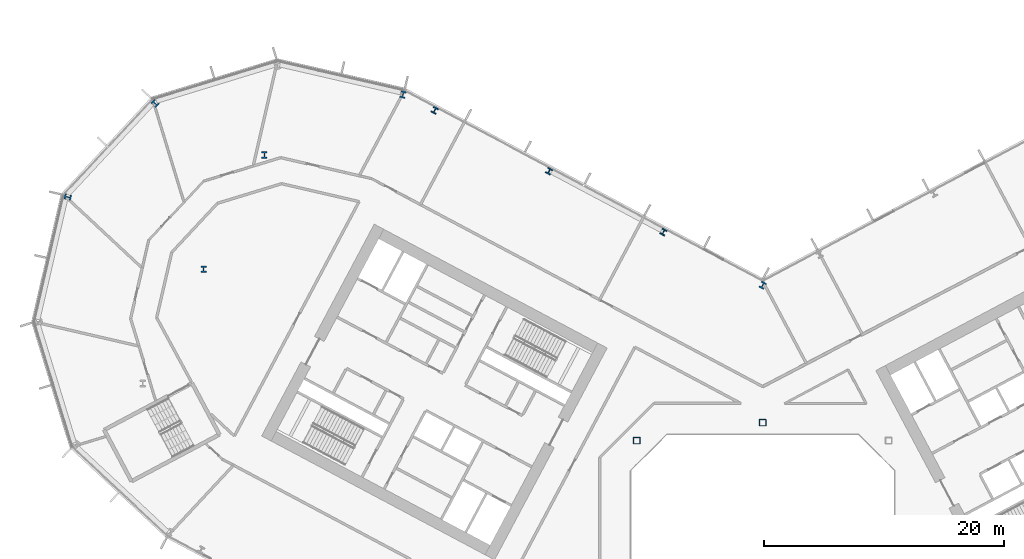
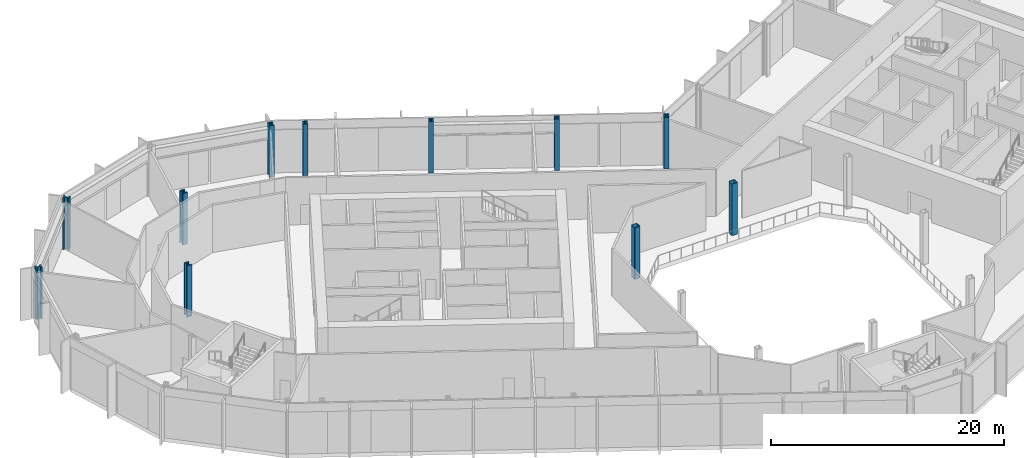
# One storey, part 2 of 31: 11 columns.
"""IFC4 building model written with IfcOpenShell, lengths in metres."""

from ifc_helpers import new_model, si_unit, direction, frame, origin, origin_2d, place, context, subcontext, project, spatial, hollow_rectangle, i_section, extrude, material, material_profile, profile_set, type_object, element, save


model = new_model("IFC4")

# Units and contexts
model_context = context("Model", 3, precision=1e-05, world=origin(), true_north=direction((0.0, 1.0)))
body_context = subcontext(model_context, "Body", "Model", "MODEL_VIEW")
ifc_project = project(units=[si_unit("LENGTHUNIT", "METRE"), si_unit("AREAUNIT", "SQUARE_METRE"), si_unit("VOLUMEUNIT", "CUBIC_METRE"), si_unit("PLANEANGLEUNIT", "RADIAN"), si_unit("MASSUNIT", "GRAM", prefix="KILO")], contexts=[model_context])

# Site, building, storey
site_placement = place(None, origin())
site = spatial("IfcSite", under=ifc_project, at=site_placement, CompositionType="ELEMENT")
building_placement = place(site_placement, origin())
building = spatial("IfcBuilding", under=site, at=building_placement, Name="Cormorant Relay Tower", CompositionType="ELEMENT")
storey_placement = place(building_placement, frame((0.0, 0.0, 23.0)))
storey = spatial("IfcBuildingStorey", under=building, at=storey_placement, Name="L04", CompositionType="ELEMENT", Elevation=23.0)

# Columns
ifc_material_1 = material(Name="Steel ASTM A1085 Grade A (Fy 345 MPa)", Category="steel")
ifc_material_profile_1 = material_profile(ifc_material_1, hollow_rectangle(XDim=0.558837890625, YDim=0.558837890625, WallThickness=0.023681640625, InnerFilletRadius=0.01171875, OuterFilletRadius=0.035400390625, at=origin_2d()), Name="HSS559x559x24")
ifc_profile_set_1 = profile_set([ifc_material_profile_1], Name="Steel ASTM A1085 Grade A (Fy 345 MPa)")
column_type_1 = type_object("IfcColumnType", Name="Column HSS559x559x24", PredefinedType="COLUMN", material=ifc_profile_set_1)
for number, where, z_axis, x_axis, name in (
    (1, (-10.5, 10.5, 0.0), (0.0, 0.0, 1.0), (1.0, 0.0, 0.0), "Column L04-022"),
    (2, (0.0, 12.0, 0.0), (0.0, 0.0, 1.0), (1.0, 0.0, 0.0), "Column L04-024"),
):
    element("IfcColumn", number, at=place(storey_placement, frame(where, z_axis=z_axis, x_axis=x_axis)), inside=storey, type_object=column_type_1, Name=name, PredefinedType="COLUMN", context=body_context, shape_type="SweptSolid", body=[
        extrude(hollow_rectangle(XDim=0.558837890625, YDim=0.558837890625, WallThickness=0.023681640625, InnerFilletRadius=0.01171875, OuterFilletRadius=0.035400390625, at=origin_2d()), origin(), (0.0, 0.0, 1.0), 5.39990234375),
    ])
ifc_material_2 = material(Name="Steel ASTM A992 (Fy 345 MPa)", Category="steel")
ifc_material_profile_2 = material_profile(ifc_material_2, i_section(OverallWidth=0.45458984375, OverallDepth=0.569091796875, WebThickness=0.077880859375, FlangeThickness=0.124755859375, FilletRadius=0.015380859375, at=origin_2d()), Name="W360x1086")
ifc_profile_set_2 = profile_set([ifc_material_profile_2], Name="Steel ASTM A992 (Fy 345 MPa)")
column_type_2 = type_object("IfcColumnType", Name="Column W360x1086", PredefinedType="COLUMN", material=ifc_profile_set_2)
for number, where, z_axis, x_axis, name in (
    (3, (0.0, 23.4541015625, 0.0), (0.0, 0.0, 1.0), (-0.882947592859, 0.469471562786, 0.0), "Column L04-032"),
    (4, (-46.6201171875, 24.7880859375, 0.0), (0.0, 0.0, 1.0), (1.0, 0.0, 0.0), "Column L04-034"),
    (5, (-57.93896484375, 30.806884765625, 0.0), (0.0, 0.0, 1.0), (-0.224951054344, -0.974370064785, 0.0), "Column L04-038"),
    (6, (-41.549072265625, 34.323974609375, 0.0), (0.0, 0.0, 1.0), (1.0, 0.0, 0.0), "Column L04-043"),
    (7, (-50.659912109375, 38.613037109375, 0.0), (0.0, 0.0, 1.0), (-0.681998360062, -0.731353701619, 0.0), "Column L04-047"),
    (8, (-29.992919921875, 39.35009765625, 0.0), (0.0, 0.0, 1.0), (-0.974370064785, 0.224951054344, 0.0), "Column L04-048"),
):
    element("IfcColumn", number, at=place(storey_placement, frame(where, z_axis=z_axis, x_axis=x_axis)), inside=storey, type_object=column_type_2, Name=name, PredefinedType="COLUMN", context=body_context, shape_type="SweptSolid", body=[
        extrude(i_section(OverallWidth=0.45458984375, OverallDepth=0.569091796875, WebThickness=0.077880859375, FlangeThickness=0.124755859375, FilletRadius=0.015380859375, at=origin_2d()), origin(), (0.0, 0.0, 1.0), 5.39990234375),
    ])
ifc_material_3 = material(Name="Steel ASTM A992 (Fy 345 MPa)", Category="steel")
ifc_material_profile_3 = material_profile(ifc_material_3, i_section(OverallWidth=0.43701171875, OverallDepth=0.51318359375, WebThickness=0.060546875, FlangeThickness=0.096923828125, FilletRadius=0.015380859375, at=origin_2d()), Name="W360x818")
ifc_profile_set_3 = profile_set([ifc_material_profile_3], Name="Steel ASTM A992 (Fy 345 MPa)")
column_type_3 = type_object("IfcColumnType", Name="Column W360x818", PredefinedType="COLUMN", material=ifc_profile_set_3)
for number, where, z_axis, x_axis, name in (
    (9, (-8.27490234375, 27.889892578125, 0.0), (0.0, 0.0, 1.0), (-0.882947592859, 0.469471562786, 0.0), "Column L04-036"),
    (10, (-17.81103515625, 32.9599609375, 0.0), (0.0, 0.0, 1.0), (-0.882947592859, 0.469471562786, 0.0), "Column L04-041"),
    (11, (-27.346923828125, 38.030029296875, 0.0), (0.0, 0.0, 1.0), (-0.882947592859, 0.469471562786, 0.0), "Column L04-046"),
):
    element("IfcColumn", number, at=place(storey_placement, frame(where, z_axis=z_axis, x_axis=x_axis)), inside=storey, type_object=column_type_3, Name=name, PredefinedType="COLUMN", context=body_context, shape_type="SweptSolid", body=[
        extrude(i_section(OverallWidth=0.43701171875, OverallDepth=0.51318359375, WebThickness=0.060546875, FlangeThickness=0.096923828125, FilletRadius=0.015380859375, at=origin_2d()), origin(), (0.0, 0.0, 1.0), 5.39990234375),
    ])

save(model, "model.ifc")
